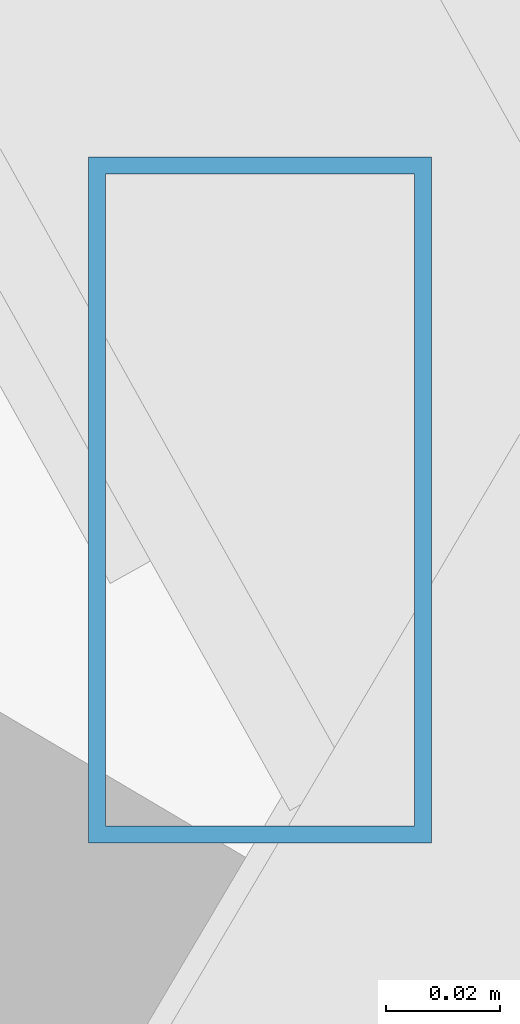
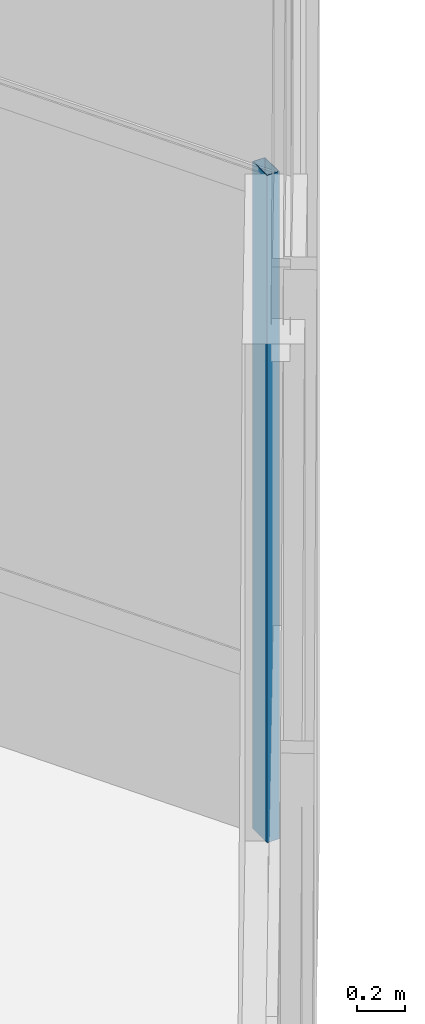
# One storey, part 24 of 50: 1 member, 1 element without a shape of its own.
"""IFC4 building model written with IfcOpenShell, lengths in metres."""

import ifcopenshell
import ifcopenshell.guid

model = None  # the IFC model being written
_history = None  # IfcOwnerHistory: only IFC2X3 demands one
_inside = {}  # id of a spatial element -> (the spatial element, [elements in it])
_under = {}  # id of a project, library or spatial element -> (it, [spatial elements below it])
_declared = {}  # id of a project -> (the project, [libraries it declares])
_typed = {}  # id of a type object -> (the type object, [elements of that type])
_made_of = {}  # id of a material, layer set ... -> (it, [elements and type objects made of it])


def new_model(schema):
    """Start an empty IFC model of exactly this schema.

    Asked for "IFC4X3", IfcOpenShell would pick the latest addendum, in which some entities
    have other attributes; the version numbers below select the first issue.
    IFC2X3 requires an IfcOwnerHistory on every rooted entity: one is made here for all.
    """
    global model, _history
    if schema == "IFC4X3":
        model = ifcopenshell.file(schema_version=(4, 3, 0, 0))
    else:
        model = ifcopenshell.file(schema=schema)
    _inside.clear()
    _under.clear()
    _declared.clear()
    _typed.clear()
    _made_of.clear()
    _history = None
    if model.schema == "IFC2X3":
        org = make("IfcOrganization", Name="unknown")
        user = make(
            "IfcPersonAndOrganization",
            ThePerson=make("IfcPerson", FamilyName="unknown"),
            TheOrganization=org,
        )
        app = make(
            "IfcApplication",
            ApplicationDeveloper=org,
            Version="unknown",
            ApplicationFullName="unknown",
            ApplicationIdentifier="unknown",
        )
        _history = make(
            "IfcOwnerHistory",
            OwningUser=user,
            OwningApplication=app,
            ChangeAction="ADDED",
            CreationDate=0,
        )
    return model


def make(cls, **values):
    """One entity of the class cls with the attributes given. An attribute that is None is left unset."""
    return model.create_entity(
        cls, **{name: value for name, value in values.items() if value is not None}
    )


def rooted(cls, **values):
    """An entity with a GlobalId (a new one), such as an element, a storey or a relation."""
    return make(cls, GlobalId=ifcopenshell.guid.new(), OwnerHistory=_history, **values)


def si_unit(unit_type, name, prefix=None):
    """IfcSIUnit, for example si_unit("LENGTHUNIT", "METRE", prefix="MILLI")."""
    return make("IfcSIUnit", UnitType=unit_type, Prefix=prefix, Name=name)


def assignment(units):
    """IfcUnitAssignment: the units of a project."""
    return None if units is None else make("IfcUnitAssignment", Units=units)


def point(xyz):
    """IfcCartesianPoint."""
    return None if xyz is None else make("IfcCartesianPoint", Coordinates=xyz)


def direction(xyz):
    """IfcDirection."""
    return None if xyz is None else make("IfcDirection", DirectionRatios=xyz)


def frame(location, z_axis=None, x_axis=None):
    """IfcAxis2Placement3D, a coordinate frame: its origin and axes. An axis left out is left unset."""
    return make(
        "IfcAxis2Placement3D",
        Location=point(location),
        Axis=direction(z_axis),
        RefDirection=direction(x_axis),
    )


def frame_2d(location, x_axis=None):
    """IfcAxis2Placement2D, a coordinate frame in the plane: its origin and x axis."""
    return make(
        "IfcAxis2Placement2D", Location=point(location), RefDirection=direction(x_axis)
    )


def origin():
    """The frame at (0, 0, 0) with its axes left unset."""
    return frame((0.0, 0.0, 0.0))


def origin_2d():
    """The frame at (0, 0) in the plane with its x axis left unset."""
    return frame_2d((0.0, 0.0))


def place(relative_to, where):
    """IfcLocalPlacement: puts the frame where relative to a parent placement (None: the world)."""
    return make(
        "IfcLocalPlacement", PlacementRelTo=relative_to, RelativePlacement=where
    )


def context(
    kind, dimensions, precision=None, world=None, true_north=None, identifier=None
):
    """IfcGeometricRepresentationContext, for example the 3D "Model" context."""
    return make(
        "IfcGeometricRepresentationContext",
        ContextIdentifier=identifier,
        ContextType=kind,
        CoordinateSpaceDimension=dimensions,
        Precision=precision,
        WorldCoordinateSystem=world,
        TrueNorth=true_north,
    )


def subcontext(parent, identifier, kind, view, scale=None):
    """IfcGeometricRepresentationSubContext, for example "Body" below "Model"."""
    return make(
        "IfcGeometricRepresentationSubContext",
        ContextIdentifier=identifier,
        ContextType=kind,
        ParentContext=parent,
        TargetScale=scale,
        TargetView=view,
    )


def project(units=None, contexts=None):
    """IfcProject with its units and contexts."""
    return rooted(
        "IfcProject",
        Name="project",
        RepresentationContexts=contexts,
        UnitsInContext=assignment(units),
    )


def spatial(cls, under=None, at=None, **own):
    """A site, building, storey or space (cls), placed at a placement, below another one or the project."""
    s = rooted(cls, ObjectPlacement=at, **own)
    if under is not None:
        _under.setdefault(under.id(), (under, []))[1].append(s)
    return s


def profile(cls, at=None, kind="AREA", **sizes):
    """A parametric profile (cls). Its sizes go by their IFC names, for example OverallWidth=200.0."""
    return make(cls, ProfileType=kind, Position=at, **sizes)


def hollow_rectangle(**sizes):
    """IfcRectangleHollowProfileDef."""
    return profile("IfcRectangleHollowProfileDef", **sizes)


def extrude(swept, where, along, depth):
    """IfcExtrudedAreaSolid: the profile swept, set in the frame where, extruded along a direction by depth."""
    return make(
        "IfcExtrudedAreaSolid",
        SweptArea=swept,
        Position=where,
        ExtrudedDirection=direction(along),
        Depth=depth,
    )


def shape(context_of_items, identifier, shape_type, items):
    """IfcShapeRepresentation: the items that make up one representation, for example the "Body"."""
    return make(
        "IfcShapeRepresentation",
        ContextOfItems=context_of_items,
        RepresentationIdentifier=identifier,
        RepresentationType=shape_type,
        Items=items,
    )


def source(mapping_origin, context_of_items, identifier, shape_type, items):
    """IfcRepresentationMap: a shape defined once, which mapped items show again and again."""
    return make(
        "IfcRepresentationMap",
        MappingOrigin=mapping_origin,
        MappedRepresentation=shape(context_of_items, identifier, shape_type, items),
    )


def transform(
    local_origin,
    x_axis=None,
    y_axis=None,
    z_axis=None,
    scale=None,
    scale2=None,
    scale3=None,
    uniform=True,
):
    """IfcCartesianTransformationOperator3D, or its non-uniform kind. x_axis, y_axis, z_axis: its Axis1, 2, 3."""
    if uniform:
        return make(
            "IfcCartesianTransformationOperator3D",
            Axis1=direction(x_axis),
            Axis2=direction(y_axis),
            LocalOrigin=point(local_origin),
            Scale=scale,
            Axis3=direction(z_axis),
        )
    return make(
        "IfcCartesianTransformationOperator3DnonUniform",
        Axis1=direction(x_axis),
        Axis2=direction(y_axis),
        LocalOrigin=point(local_origin),
        Scale=scale,
        Axis3=direction(z_axis),
        Scale2=scale2,
        Scale3=scale3,
    )


def mapped(mapping_source, mapping_target):
    """IfcMappedItem: shows the shape of a source again, moved by a transform."""
    return make(
        "IfcMappedItem", MappingSource=mapping_source, MappingTarget=mapping_target
    )


def material(Name=None, Category=None):
    """IfcMaterial."""
    return make("IfcMaterial", Name=Name, Category=Category)


def material_profile(
    of_material, cross_section, Name=None, Category=None, Priority=None
):
    """IfcMaterialProfile: a cross section and its material."""
    return make(
        "IfcMaterialProfile",
        Name=Name,
        Material=of_material,
        Profile=cross_section,
        Priority=Priority,
        Category=Category,
    )


def profile_set(profiles, Name=None, composite=None):
    """IfcMaterialProfileSet."""
    return make(
        "IfcMaterialProfileSet",
        Name=Name,
        MaterialProfiles=profiles,
        CompositeProfile=composite,
    )


def made_of(thing, what):
    """Note that an element or type object is made of a material, layer set ...; save() writes the relation."""
    if what is not None:
        _made_of.setdefault(what.id(), (what, []))[1].append(thing)
    return thing


def type_object(cls, material=None, **own):
    """A type object (cls), such as IfcWallType, which elements share."""
    return made_of(rooted(cls, **own), material)


def type_shapes(of_type, sources):
    """Give a type object the sources (RepresentationMaps) that its elements show as mapped items."""
    of_type.RepresentationMaps = sources


def element(
    cls,
    number,
    at=None,
    inside=None,
    cuts=None,
    type_object=None,
    material=None,
    context=None,
    identifier="Body",
    shape_type=None,
    held_by="IfcProductDefinitionShape",
    body=None,
    shapes=None,
    **own,
):
    """One element of the class cls, such as IfcWall. Its Tag is "e" and its number.

    at: its placement. inside: the storey or other place that contains it. cuts: it is an
    opening in that element (IfcRelVoidsElement). A single representation is given by context,
    identifier, shape_type and body (its items); several are given by shapes. held_by: the class
    of the entity that holds the representations. save() writes the other relations.
    """
    e = rooted(cls, Tag="e%d" % number, ObjectPlacement=at, **own)
    if body is not None:
        shapes = [shape(context, identifier, shape_type, body)]
    if shapes is not None:
        e.Representation = make(held_by, Representations=shapes)
    if inside is not None:
        _inside.setdefault(inside.id(), (inside, []))[1].append(e)
    if cuts is not None:
        rooted(
            "IfcRelVoidsElement", RelatingBuildingElement=cuts, RelatedOpeningElement=e
        )
    if type_object is not None:
        _typed.setdefault(type_object.id(), (type_object, []))[1].append(e)
    return made_of(e, material)


def aggregate(whole, parts):
    """IfcRelAggregates: a whole, such as a stair, and the parts it consists of."""
    return rooted("IfcRelAggregates", RelatingObject=whole, RelatedObjects=parts)


def save(model, path):
    """Write the relations noted so far, then the file.

    IfcRelAggregates (storeys below a building ...), IfcRelContainedInSpatialStructure (elements
    in a storey), IfcRelDefinesByType, IfcRelAssociatesMaterial and IfcRelDeclares: one each for
    every whole, place, type object, material and project.
    """
    for whole, parts in _under.values():
        aggregate(whole, parts)
    for where, things in _inside.values():
        rooted(
            "IfcRelContainedInSpatialStructure",
            RelatedElements=things,
            RelatingStructure=where,
        )
    for kind, things in _typed.values():
        rooted("IfcRelDefinesByType", RelatedObjects=things, RelatingType=kind)
    for what, things in _made_of.values():
        rooted("IfcRelAssociatesMaterial", RelatedObjects=things, RelatingMaterial=what)
    for by, libraries in _declared.values():
        rooted("IfcRelDeclares", RelatingContext=by, RelatedDefinitions=libraries)
    model.write(path)


model = new_model("IFC4")

# Units and contexts
model_context = context("Model", 3, precision=1e-05, world=origin(), true_north=direction((0.0, 1.0)))
body_context = subcontext(model_context, "Body", "Model", "MODEL_VIEW")
ifc_project = project(units=[si_unit("LENGTHUNIT", "METRE"), si_unit("AREAUNIT", "SQUARE_METRE"), si_unit("VOLUMEUNIT", "CUBIC_METRE"), si_unit("PLANEANGLEUNIT", "RADIAN"), si_unit("MASSUNIT", "GRAM", prefix="KILO")], contexts=[model_context])

# Site, building, storey
site_placement = place(None, origin())
site = spatial("IfcSite", under=ifc_project, at=site_placement, CompositionType="ELEMENT")
building_placement = place(site_placement, origin())
building = spatial("IfcBuilding", under=site, at=building_placement, Name="Caelisora Broadcast Tower", CompositionType="ELEMENT")
storey_placement = place(building_placement, frame((0.0, 0.0, 303.39990234375)))
storey = spatial("IfcBuildingStorey", under=building, at=storey_placement, Name="L80", CompositionType="ELEMENT", Elevation=303.39990234375)

# Curtain wall, member
ifc_material_1 = material(Name="Unitised Aluminium Insulated Shadow-Box Spandrel Curtain Wall", Category="aluminium")
curtain_wall_type = type_object("IfcCurtainWallType", Name="CW-SP3", PredefinedType="NOTDEFINED", material=ifc_material_1)
curtain_wall_placement = place(storey_placement, origin())
curtain_wall = element("IfcCurtainWall", 1, at=curtain_wall_placement, inside=storey, type_object=curtain_wall_type, Name="L80 curtain wall CW-SP3", PredefinedType="NOTDEFINED")
ifc_material_2 = material(Name="Aluminium 6063-T6 Anodised Terracotta Bronze", Category="aluminium")
ifc_material_profile = material_profile(ifc_material_2, hollow_rectangle(XDim=0.06005859375, YDim=0.1201171875, WallThickness=0.0029296875, at=origin_2d()), Name="Aluminium 6063-T6 Anodised Terracotta Bronze")
ifc_profile_set = profile_set([ifc_material_profile], Name="Aluminium 6063-T6 Anodised Terracotta Bronze")
member_type = type_object("IfcMemberType", Name="CWM-04", PredefinedType="MULLION", material=ifc_profile_set)
shared_shape = source(origin(), body_context, "Body", "SweptSolid", [
    extrude(hollow_rectangle(XDim=0.06005859375, YDim=0.1201171875, WallThickness=0.0029296875, at=origin_2d()), origin(), (0.0, 0.0, 1.0), 3.400146484375),
])
type_shapes(member_type, [shared_shape])
member_placement = place(storey_placement, frame((61.135498046875, 12.544677734375, 0.0), z_axis=(0.0, 0.0, 1.0), x_axis=(1.0, 0.0, 0.0)))
member = element("IfcMember", 2, at=member_placement, type_object=member_type, Name="L80-CW-B03 mullion #3", PredefinedType="MULLION", context=body_context, shape_type="MappedRepresentation", body=[
    mapped(shared_shape, transform((0.0, 0.0, 0.0), scale=1.0)),
])
aggregate(curtain_wall, [member])

save(model, "model.ifc")
